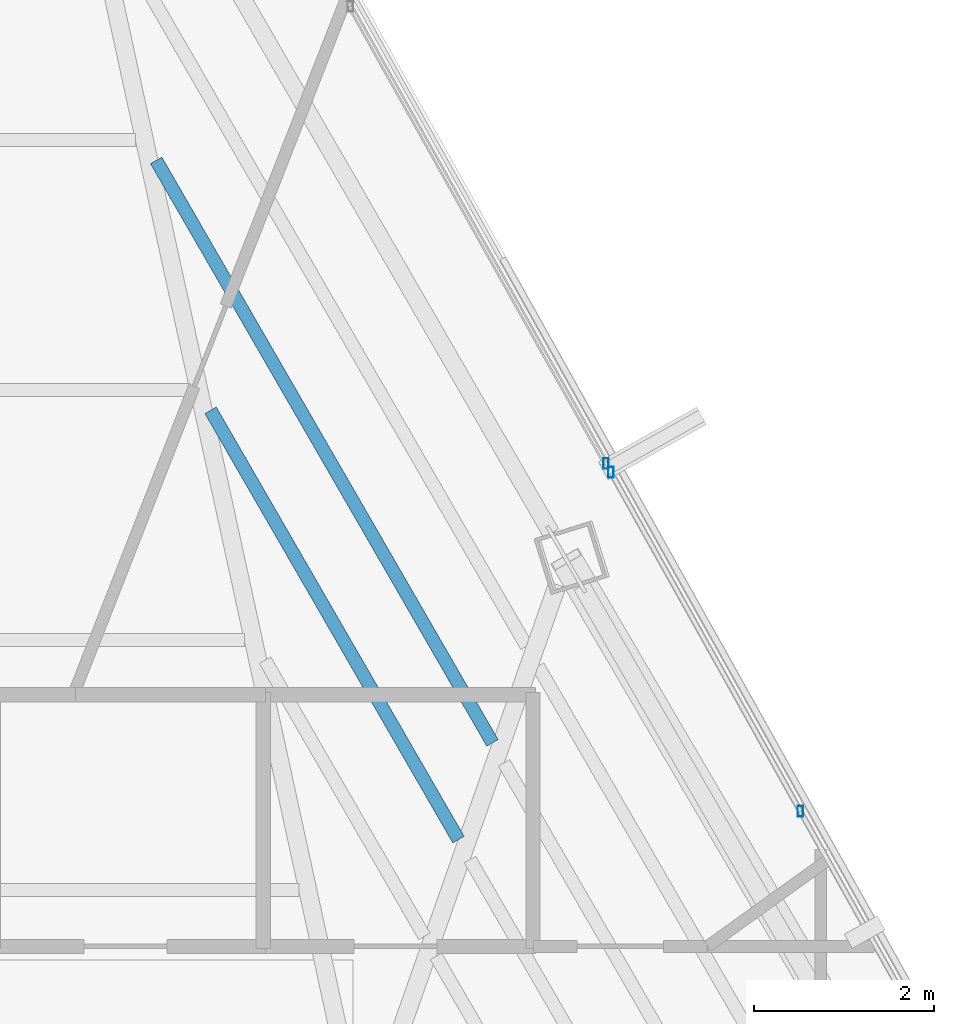
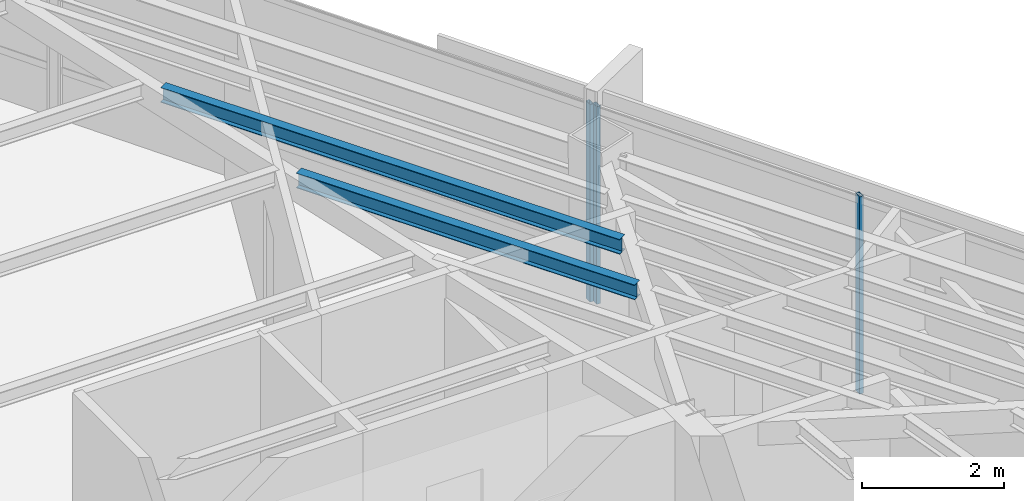
# One storey, part 30 of 46: 3 members, 2 beams, 2 elements without a shape of their own.
"""IFC4 building model written with IfcOpenShell, lengths in metres."""

from ifc_helpers import new_model, si_unit, direction, frame, origin, origin_2d, place, context, subcontext, project, spatial, hollow_rectangle, i_section, extrude, source, transform, mapped, material, material_profile, profile_set, type_object, type_shapes, element, aggregate, save


model = new_model("IFC4")

# Units and contexts
model_context = context("Model", 3, precision=1e-05, world=origin(), true_north=direction((0.0, 1.0)))
body_context = subcontext(model_context, "Body", "Model", "MODEL_VIEW")
ifc_project = project(units=[si_unit("LENGTHUNIT", "METRE"), si_unit("AREAUNIT", "SQUARE_METRE"), si_unit("VOLUMEUNIT", "CUBIC_METRE"), si_unit("PLANEANGLEUNIT", "RADIAN"), si_unit("MASSUNIT", "GRAM", prefix="KILO")], contexts=[model_context])

# Site, building, storey
site_placement = place(None, origin())
site = spatial("IfcSite", under=ifc_project, at=site_placement, CompositionType="ELEMENT")
building_placement = place(site_placement, origin())
building = spatial("IfcBuilding", under=site, at=building_placement, Name="Caelisora Broadcast Tower", CompositionType="ELEMENT")
storey_placement = place(building_placement, frame((0.0, 0.0, 251.75)))
storey = spatial("IfcBuildingStorey", under=building, at=storey_placement, Name="L66", CompositionType="ELEMENT", Elevation=251.75)

# Beams
ifc_material_1 = material(Name="Steel Grade 350 (AS/NZS 3679.1)", Category="steel")
ifc_material_profile_1 = material_profile(ifc_material_1, i_section(OverallWidth=0.14599609375, OverallDepth=0.256103515625, WebThickness=0.00634765625, FlangeThickness=0.010986328125, at=origin_2d()), Name="Steel Grade 350 (AS/NZS 3679.1)")
ifc_profile_set_1 = profile_set([ifc_material_profile_1], Name="Steel Grade 350 (AS/NZS 3679.1)")
beam_type = type_object("IfcBeamType", Name="SB04", PredefinedType="JOIST", material=ifc_profile_set_1)
shared_shape_1 = source(origin(), body_context, "Body", "SweptSolid", [
    extrude(i_section(OverallWidth=0.14599609375, OverallDepth=0.256103515625, WebThickness=0.00634765625, FlangeThickness=0.010986328125, at=origin_2d()), origin(), (0.0, 0.0, 1.0), 5.51123046875),
])
beam_1_placement = place(storey_placement, frame((46.57080078125, 33.33837890625, 3.27197265625), z_axis=(-0.500045834946, 0.865998939349, 0.0), x_axis=(-0.865998939349, -0.500045834946, 0.0)))
element("IfcBeam", 1, at=beam_1_placement, inside=storey, type_object=beam_type, Name="L66 beam SB04", PredefinedType="JOIST", context=body_context, shape_type="MappedRepresentation", body=[
    mapped(shared_shape_1, transform((0.0, 0.0, 0.0), scale=1.0)),
])
shared_shape_2 = source(origin(), body_context, "Body", "SweptSolid", [
    extrude(i_section(OverallWidth=0.14599609375, OverallDepth=0.256103515625, WebThickness=0.00634765625, FlangeThickness=0.010986328125, at=origin_2d()), origin(), (0.0, 0.0, 1.0), 7.47802734375),
])
type_shapes(beam_type, [shared_shape_1, shared_shape_2])
beam_2_placement = place(storey_placement, frame((46.948974609375, 34.413818359375, 3.27197265625), z_axis=(-0.500005062714, 0.866022480806, 0.0), x_axis=(-0.866022480806, -0.500005062714, 0.0)))
element("IfcBeam", 2, at=beam_2_placement, inside=storey, type_object=beam_type, Name="L66 beam SB04", PredefinedType="JOIST", context=body_context, shape_type="MappedRepresentation", body=[
    mapped(shared_shape_2, transform((0.0, 0.0, 0.0), scale=1.0)),
])

# Curtain wall, member
ifc_material_2 = material(Name="Unitised Aluminium and Low-E Glass Curtain Wall", Category="glass")
curtain_wall_type_1 = type_object("IfcCurtainWallType", Name="CW-Z5", PredefinedType="NOTDEFINED", material=ifc_material_2)
curtain_wall_1_placement = place(storey_placement, origin())
curtain_wall_1 = element("IfcCurtainWall", 3, at=curtain_wall_1_placement, inside=storey, type_object=curtain_wall_type_1, Name="L66 curtain wall CW-Z5", PredefinedType="NOTDEFINED")
ifc_material_3 = material(Name="Aluminium 6063-T6 Anodised Terracotta Bronze", Category="aluminium")
ifc_material_profile_2 = material_profile(ifc_material_3, hollow_rectangle(XDim=0.06005859375, YDim=0.1201171875, WallThickness=0.0029296875, at=origin_2d()), Name="Aluminium 6063-T6 Anodised Terracotta Bronze")
ifc_profile_set_2 = profile_set([ifc_material_profile_2], Name="Aluminium 6063-T6 Anodised Terracotta Bronze")
member_type = type_object("IfcMemberType", Name="CWM-04", PredefinedType="MULLION", material=ifc_profile_set_2)
shared_shape_3 = source(origin(), body_context, "Body", "SweptSolid", [
    extrude(hollow_rectangle(XDim=0.06005859375, YDim=0.1201171875, WallThickness=0.0029296875, at=origin_2d()), origin(), (0.0, 0.0, 1.0), 3.39990234375),
])
type_shapes(member_type, [shared_shape_3])
member_1_placement = place(storey_placement, frame((48.211181640625, 37.51904296875, 0.0), z_axis=(0.0, 0.0, 1.0), x_axis=(1.0, 0.0, 0.0)))
member_1 = element("IfcMember", 4, at=member_1_placement, type_object=member_type, Name="L66-CW-B01 mullion #3", PredefinedType="MULLION", context=body_context, shape_type="MappedRepresentation", body=[
    mapped(shared_shape_3, transform((0.0, 0.0, 0.0), scale=1.0)),
])
aggregate(curtain_wall_1, [member_1])

# Curtain wall, members
ifc_material_4 = material(Name="Unitised Aluminium Insulated Shadow-Box Spandrel Curtain Wall", Category="aluminium")
curtain_wall_type_2 = type_object("IfcCurtainWallType", Name="CW-SP3", PredefinedType="NOTDEFINED", material=ifc_material_4)
curtain_wall_2_placement = place(storey_placement, origin())
curtain_wall_2 = element("IfcCurtainWall", 5, at=curtain_wall_2_placement, inside=storey, type_object=curtain_wall_type_2, Name="L66 curtain wall CW-SP3", PredefinedType="NOTDEFINED")
member_2_placement = place(storey_placement, frame((48.264892578125, 37.423095703125, 0.0), z_axis=(0.0, 0.0, 1.0), x_axis=(1.0, 0.0, 0.0)))
member_2 = element("IfcMember", 6, at=member_2_placement, type_object=member_type, Name="L66-CW-B02 mullion #0", PredefinedType="MULLION", context=body_context, shape_type="MappedRepresentation", body=[
    mapped(shared_shape_3, transform((0.0, 0.0, 0.0), scale=1.0)),
])
member_3_placement = place(storey_placement, frame((50.372314453125, 33.6533203125, 0.0), z_axis=(0.0, 0.0, 1.0), x_axis=(1.0, 0.0, 0.0)))
member_3 = element("IfcMember", 7, at=member_3_placement, type_object=member_type, Name="L66-CW-B02 mullion #1", PredefinedType="MULLION", context=body_context, shape_type="MappedRepresentation", body=[
    mapped(shared_shape_3, transform((0.0, 0.0, 0.0), scale=1.0)),
])
aggregate(curtain_wall_2, [member_2, member_3])

save(model, "model.ifc")
